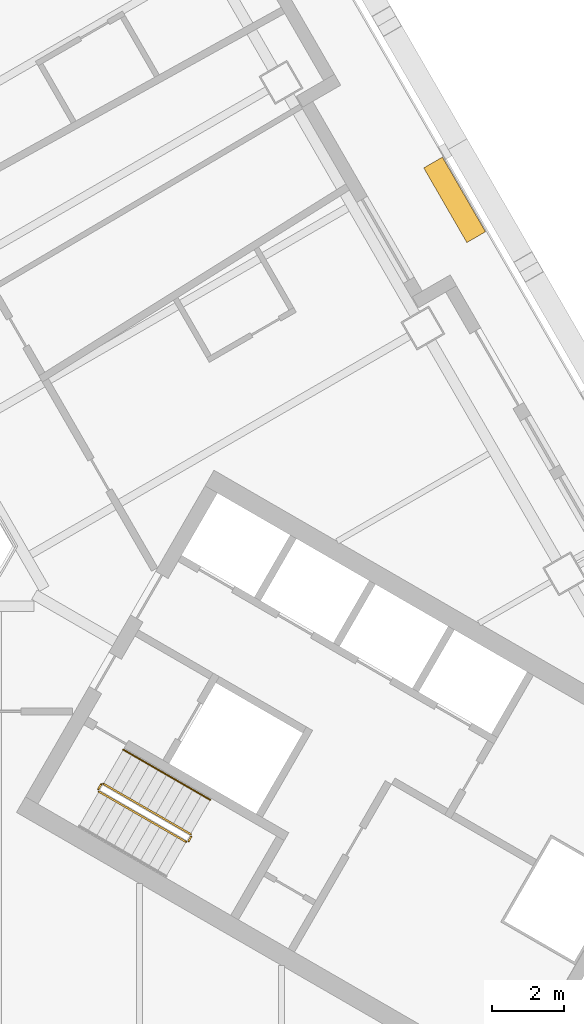
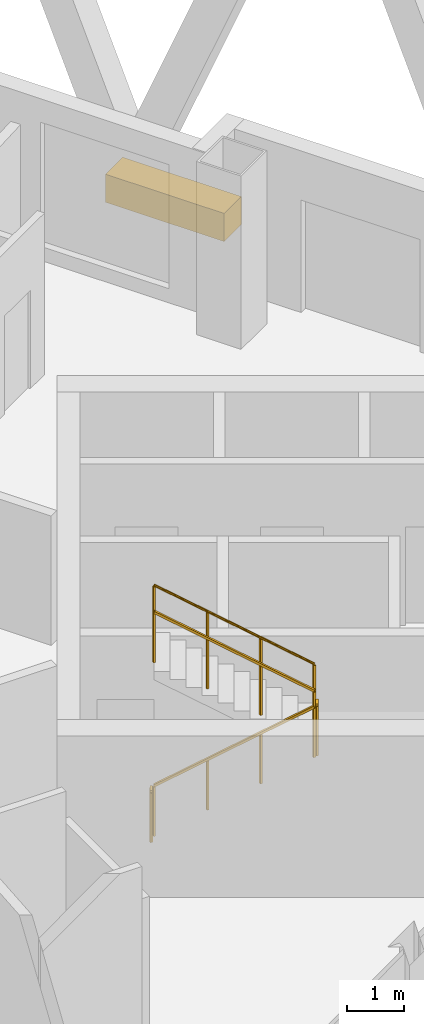
# One storey, part 11 of 13: 5 railings, 1 covering.
"""IFC4 building model written with IfcOpenShell, lengths in metres."""

import ifcopenshell
import ifcopenshell.guid

model = None  # the IFC model being written
_history = None  # IfcOwnerHistory: only IFC2X3 demands one
_inside = {}  # id of a spatial element -> (the spatial element, [elements in it])
_under = {}  # id of a project, library or spatial element -> (it, [spatial elements below it])
_declared = {}  # id of a project -> (the project, [libraries it declares])
_typed = {}  # id of a type object -> (the type object, [elements of that type])
_made_of = {}  # id of a material, layer set ... -> (it, [elements and type objects made of it])


def new_model(schema):
    """Start an empty IFC model of exactly this schema.

    Asked for "IFC4X3", IfcOpenShell would pick the latest addendum, in which some entities
    have other attributes; the version numbers below select the first issue.
    IFC2X3 requires an IfcOwnerHistory on every rooted entity: one is made here for all.
    """
    global model, _history
    if schema == "IFC4X3":
        model = ifcopenshell.file(schema_version=(4, 3, 0, 0))
    else:
        model = ifcopenshell.file(schema=schema)
    _inside.clear()
    _under.clear()
    _declared.clear()
    _typed.clear()
    _made_of.clear()
    _history = None
    if model.schema == "IFC2X3":
        org = make("IfcOrganization", Name="unknown")
        user = make(
            "IfcPersonAndOrganization",
            ThePerson=make("IfcPerson", FamilyName="unknown"),
            TheOrganization=org,
        )
        app = make(
            "IfcApplication",
            ApplicationDeveloper=org,
            Version="unknown",
            ApplicationFullName="unknown",
            ApplicationIdentifier="unknown",
        )
        _history = make(
            "IfcOwnerHistory",
            OwningUser=user,
            OwningApplication=app,
            ChangeAction="ADDED",
            CreationDate=0,
        )
    return model


def make(cls, **values):
    """One entity of the class cls with the attributes given. An attribute that is None is left unset."""
    return model.create_entity(
        cls, **{name: value for name, value in values.items() if value is not None}
    )


def rooted(cls, **values):
    """An entity with a GlobalId (a new one), such as an element, a storey or a relation."""
    return make(cls, GlobalId=ifcopenshell.guid.new(), OwnerHistory=_history, **values)


def si_unit(unit_type, name, prefix=None):
    """IfcSIUnit, for example si_unit("LENGTHUNIT", "METRE", prefix="MILLI")."""
    return make("IfcSIUnit", UnitType=unit_type, Prefix=prefix, Name=name)


def assignment(units):
    """IfcUnitAssignment: the units of a project."""
    return None if units is None else make("IfcUnitAssignment", Units=units)


def point(xyz):
    """IfcCartesianPoint."""
    return None if xyz is None else make("IfcCartesianPoint", Coordinates=xyz)


def direction(xyz):
    """IfcDirection."""
    return None if xyz is None else make("IfcDirection", DirectionRatios=xyz)


def frame(location, z_axis=None, x_axis=None):
    """IfcAxis2Placement3D, a coordinate frame: its origin and axes. An axis left out is left unset."""
    return make(
        "IfcAxis2Placement3D",
        Location=point(location),
        Axis=direction(z_axis),
        RefDirection=direction(x_axis),
    )


def frame_2d(location, x_axis=None):
    """IfcAxis2Placement2D, a coordinate frame in the plane: its origin and x axis."""
    return make(
        "IfcAxis2Placement2D", Location=point(location), RefDirection=direction(x_axis)
    )


def origin():
    """The frame at (0, 0, 0) with its axes left unset."""
    return frame((0.0, 0.0, 0.0))


def origin_2d():
    """The frame at (0, 0) in the plane with its x axis left unset."""
    return frame_2d((0.0, 0.0))


def place(relative_to, where):
    """IfcLocalPlacement: puts the frame where relative to a parent placement (None: the world)."""
    return make(
        "IfcLocalPlacement", PlacementRelTo=relative_to, RelativePlacement=where
    )


def context(
    kind, dimensions, precision=None, world=None, true_north=None, identifier=None
):
    """IfcGeometricRepresentationContext, for example the 3D "Model" context."""
    return make(
        "IfcGeometricRepresentationContext",
        ContextIdentifier=identifier,
        ContextType=kind,
        CoordinateSpaceDimension=dimensions,
        Precision=precision,
        WorldCoordinateSystem=world,
        TrueNorth=true_north,
    )


def subcontext(parent, identifier, kind, view, scale=None):
    """IfcGeometricRepresentationSubContext, for example "Body" below "Model"."""
    return make(
        "IfcGeometricRepresentationSubContext",
        ContextIdentifier=identifier,
        ContextType=kind,
        ParentContext=parent,
        TargetScale=scale,
        TargetView=view,
    )


def project(units=None, contexts=None):
    """IfcProject with its units and contexts."""
    return rooted(
        "IfcProject",
        Name="project",
        RepresentationContexts=contexts,
        UnitsInContext=assignment(units),
    )


def spatial(cls, under=None, at=None, **own):
    """A site, building, storey or space (cls), placed at a placement, below another one or the project."""
    s = rooted(cls, ObjectPlacement=at, **own)
    if under is not None:
        _under.setdefault(under.id(), (under, []))[1].append(s)
    return s


def profile(cls, at=None, kind="AREA", **sizes):
    """A parametric profile (cls). Its sizes go by their IFC names, for example OverallWidth=200.0."""
    return make(cls, ProfileType=kind, Position=at, **sizes)


def rectangle(**sizes):
    """IfcRectangleProfileDef."""
    return profile("IfcRectangleProfileDef", **sizes)


def circle(**sizes):
    """IfcCircleProfileDef."""
    return profile("IfcCircleProfileDef", **sizes)


def extrude(swept, where, along, depth):
    """IfcExtrudedAreaSolid: the profile swept, set in the frame where, extruded along a direction by depth."""
    return make(
        "IfcExtrudedAreaSolid",
        SweptArea=swept,
        Position=where,
        ExtrudedDirection=direction(along),
        Depth=depth,
    )


def shape(context_of_items, identifier, shape_type, items):
    """IfcShapeRepresentation: the items that make up one representation, for example the "Body"."""
    return make(
        "IfcShapeRepresentation",
        ContextOfItems=context_of_items,
        RepresentationIdentifier=identifier,
        RepresentationType=shape_type,
        Items=items,
    )


def material(Name=None, Category=None):
    """IfcMaterial."""
    return make("IfcMaterial", Name=Name, Category=Category)


def made_of(thing, what):
    """Note that an element or type object is made of a material, layer set ...; save() writes the relation."""
    if what is not None:
        _made_of.setdefault(what.id(), (what, []))[1].append(thing)
    return thing


def type_object(cls, material=None, **own):
    """A type object (cls), such as IfcWallType, which elements share."""
    return made_of(rooted(cls, **own), material)


def element(
    cls,
    number,
    at=None,
    inside=None,
    cuts=None,
    type_object=None,
    material=None,
    context=None,
    identifier="Body",
    shape_type=None,
    held_by="IfcProductDefinitionShape",
    body=None,
    shapes=None,
    **own,
):
    """One element of the class cls, such as IfcWall. Its Tag is "e" and its number.

    at: its placement. inside: the storey or other place that contains it. cuts: it is an
    opening in that element (IfcRelVoidsElement). A single representation is given by context,
    identifier, shape_type and body (its items); several are given by shapes. held_by: the class
    of the entity that holds the representations. save() writes the other relations.
    """
    e = rooted(cls, Tag="e%d" % number, ObjectPlacement=at, **own)
    if body is not None:
        shapes = [shape(context, identifier, shape_type, body)]
    if shapes is not None:
        e.Representation = make(held_by, Representations=shapes)
    if inside is not None:
        _inside.setdefault(inside.id(), (inside, []))[1].append(e)
    if cuts is not None:
        rooted(
            "IfcRelVoidsElement", RelatingBuildingElement=cuts, RelatedOpeningElement=e
        )
    if type_object is not None:
        _typed.setdefault(type_object.id(), (type_object, []))[1].append(e)
    return made_of(e, material)


def aggregate(whole, parts):
    """IfcRelAggregates: a whole, such as a stair, and the parts it consists of."""
    return rooted("IfcRelAggregates", RelatingObject=whole, RelatedObjects=parts)


def save(model, path):
    """Write the relations noted so far, then the file.

    IfcRelAggregates (storeys below a building ...), IfcRelContainedInSpatialStructure (elements
    in a storey), IfcRelDefinesByType, IfcRelAssociatesMaterial and IfcRelDeclares: one each for
    every whole, place, type object, material and project.
    """
    for whole, parts in _under.values():
        aggregate(whole, parts)
    for where, things in _inside.values():
        rooted(
            "IfcRelContainedInSpatialStructure",
            RelatedElements=things,
            RelatingStructure=where,
        )
    for kind, things in _typed.values():
        rooted("IfcRelDefinesByType", RelatedObjects=things, RelatingType=kind)
    for what, things in _made_of.values():
        rooted("IfcRelAssociatesMaterial", RelatedObjects=things, RelatingMaterial=what)
    for by, libraries in _declared.values():
        rooted("IfcRelDeclares", RelatingContext=by, RelatedDefinitions=libraries)
    model.write(path)


model = new_model("IFC4")

# Units and contexts
model_context = context("Model", 3, precision=1e-05, world=origin(), true_north=direction((0.0, 1.0)))
body_context = subcontext(model_context, "Body", "Model", "MODEL_VIEW")
ifc_project = project(units=[si_unit("LENGTHUNIT", "METRE"), si_unit("AREAUNIT", "SQUARE_METRE"), si_unit("VOLUMEUNIT", "CUBIC_METRE"), si_unit("PLANEANGLEUNIT", "RADIAN"), si_unit("MASSUNIT", "GRAM", prefix="KILO")], contexts=[model_context])

# Site, building, storey
site_placement = place(None, origin())
site = spatial("IfcSite", under=ifc_project, at=site_placement, CompositionType="ELEMENT")
building_placement = place(site_placement, origin())
building = spatial("IfcBuilding", under=site, at=building_placement, Name="Apuvela Tower Hotel", CompositionType="ELEMENT")
storey_placement = place(building_placement, frame((0.0, 0.0, 127.89990234375)))
storey = spatial("IfcBuildingStorey", under=building, at=storey_placement, Name="L30", CompositionType="ELEMENT", Elevation=127.89990234375)

# Railings
ifc_material_1 = material(Name="Steel S275 balustrade", Category="steel")
railing_type_1 = type_object("IfcRailingType", Name="COR-GUARD-1100", PredefinedType="GUARDRAIL", material=ifc_material_1)
railing_1_placement = place(storey_placement, frame((10.718994140625, -10.63427734375, 0.168212890625)))
element("IfcRailing", 1, at=railing_1_placement, inside=storey, type_object=railing_type_1, Name="L30 ST3 stair guard 1", PredefinedType="GUARDRAIL", context=body_context, shape_type="SweptSolid", body=[
    extrude(rectangle(XDim=0.048095703125, YDim=0.048095703125, at=origin_2d()), frame((0.0, 0.0, 1.076171875), z_axis=(0.742390482028, -0.42860119049, 0.514934356695), x_axis=(0.49998411664, 0.866034573852, 0.0)), (0.0, 0.0, 1.0), 3.26611328125),
    extrude(rectangle(XDim=0.0419921875, YDim=0.0419921875, at=origin_2d()), origin(), (0.0, 0.0, 1.0), 1.052001953125),
    extrude(rectangle(XDim=0.0419921875, YDim=0.0419921875, at=origin_2d()), frame((0.808349609375, -0.466552734375, 0.560546875)), (0.0, 0.0, 1.0), 1.052001953125),
    extrude(rectangle(XDim=0.0419921875, YDim=0.0419921875, at=origin_2d()), frame((1.616455078125, -0.933349609375, 1.121337890625)), (0.0, 0.0, 1.0), 1.052001953125),
    extrude(rectangle(XDim=0.0419921875, YDim=0.0419921875, at=origin_2d()), frame((2.4248046875, -1.39990234375, 1.681884765625)), (0.0, 0.0, 1.0), 1.052001953125),
])
railing_2_placement = place(storey_placement, frame((13.212158203125, -12.015869140625, 1.85009765625)))
element("IfcRailing", 2, at=railing_2_placement, inside=storey, type_object=railing_type_1, Name="L30 ST3 stair guard 2", PredefinedType="GUARDRAIL", context=body_context, shape_type="SweptSolid", body=[
    extrude(rectangle(XDim=0.048095703125, YDim=0.048095703125, at=origin_2d()), frame((0.0, 0.0, 1.076171875), z_axis=(0.499816412211, 0.866131372301, 0.0), x_axis=(-0.866131372301, 0.499816412211, 0.0)), (0.0, 0.0, 1.0), 0.14990234375),
    extrude(rectangle(XDim=0.0419921875, YDim=0.0419921875, at=origin_2d()), origin(), (0.0, 0.0, 1.0), 1.052001953125),
    extrude(rectangle(XDim=0.0419921875, YDim=0.0419921875, at=origin_2d()), frame((0.074951171875, 0.1298828125, 0.0)), (0.0, 0.0, 1.0), 1.052001953125),
])
railing_3_placement = place(storey_placement, frame((13.268798828125, -11.817626953125, 2.018310546875)))
element("IfcRailing", 3, at=railing_3_placement, inside=storey, type_object=railing_type_1, Name="L30 ST3 stair guard 3", PredefinedType="GUARDRAIL", context=body_context, shape_type="SweptSolid", body=[
    extrude(rectangle(XDim=0.048095703125, YDim=0.048095703125, at=origin_2d()), frame((0.0, 0.0, 1.076171875), z_axis=(-0.742390482028, 0.42860119049, 0.514934356695), x_axis=(-0.49998411664, -0.866034573852, 0.0)), (0.0, 0.0, 1.0), 3.26611328125),
    extrude(rectangle(XDim=0.0419921875, YDim=0.0419921875, at=origin_2d()), origin(), (0.0, 0.0, 1.0), 1.052001953125),
    extrude(rectangle(XDim=0.0419921875, YDim=0.0419921875, at=origin_2d()), frame((-0.808349609375, 0.466552734375, 0.560546875)), (0.0, 0.0, 1.0), 1.052001953125),
    extrude(rectangle(XDim=0.0419921875, YDim=0.0419921875, at=origin_2d()), frame((-1.616455078125, 0.933349609375, 1.121337890625)), (0.0, 0.0, 1.0), 1.052001953125),
    extrude(rectangle(XDim=0.0419921875, YDim=0.0419921875, at=origin_2d()), frame((-2.4248046875, 1.39990234375, 1.681884765625)), (0.0, 0.0, 1.0), 1.052001953125),
])
railing_4_placement = place(storey_placement, frame((10.70068359375, -10.56591796875, 0.0)))
element("IfcRailing", 4, at=railing_4_placement, inside=storey, type_object=railing_type_1, Name="L30 ST3 stair guard 4", PredefinedType="GUARDRAIL", context=body_context, shape_type="SweptSolid", body=[
    extrude(rectangle(XDim=0.048095703125, YDim=0.048095703125, at=origin_2d()), frame((0.0, 0.0, 1.076171875), z_axis=(0.499816412211, 0.866131372301, 0.0), x_axis=(-0.866131372301, 0.499816412211, 0.0)), (0.0, 0.0, 1.0), 0.14990234375),
    extrude(rectangle(XDim=0.0419921875, YDim=0.0419921875, at=origin_2d()), origin(), (0.0, 0.0, 1.0), 1.052001953125),
    extrude(rectangle(XDim=0.0419921875, YDim=0.0419921875, at=origin_2d()), frame((0.074951171875, 0.1298828125, 0.0)), (0.0, 0.0, 1.0), 1.052001953125),
])
ifc_material_2 = material(Name="Stainless steel 316 handrail", Category="steel")
railing_type_2 = type_object("IfcRailingType", Name="COR-HANDRAIL-900", PredefinedType="HANDRAIL", material=ifc_material_2)
railing_5_placement = place(storey_placement, frame((13.81884765625, -10.864990234375, 2.018310546875)))
element("IfcRailing", 5, at=railing_5_placement, inside=storey, type_object=railing_type_2, Name="L30 ST3 stair handrail 2", PredefinedType="HANDRAIL", context=body_context, shape_type="SweptSolid", body=[
    extrude(circle(Radius=0.02392578125, at=origin_2d()), frame((0.0, 0.0, 0.8759765625), z_axis=(-0.742390482028, 0.42860119049, 0.514934356695), x_axis=(-0.49998411664, -0.866034573852, 0.0)), (0.0, 0.0, 1.0), 3.26611328125),
    extrude(rectangle(XDim=0.0419921875, YDim=0.0419921875, at=origin_2d()), origin(), (0.0, 0.0, 1.0), 0.851806640625),
    extrude(rectangle(XDim=0.0419921875, YDim=0.0419921875, at=origin_2d()), frame((-0.808349609375, 0.466552734375, 0.560546875)), (0.0, 0.0, 1.0), 0.851806640625),
    extrude(rectangle(XDim=0.0419921875, YDim=0.0419921875, at=origin_2d()), frame((-1.616455078125, 0.933349609375, 1.121337890625)), (0.0, 0.0, 1.0), 0.851806640625),
    extrude(rectangle(XDim=0.0419921875, YDim=0.0419921875, at=origin_2d()), frame((-2.4248046875, 1.39990234375, 1.681884765625)), (0.0, 0.0, 1.0), 0.851806640625),
])

# Covering
ifc_material_3 = material(Name="Planting substrate and soil, planted")
covering_type = type_object("IfcCoveringType", Name="ENV-PLANTER-2400x600", PredefinedType="USERDEFINED", material=ifc_material_3)
covering_placement = place(storey_placement, frame((20.62109375, 5.84326171875, 0.0), z_axis=(0.0, 0.0, 1.0), x_axis=(-0.5, 0.866025403784, 0.0)))
element("IfcCovering", 6, at=covering_placement, inside=storey, type_object=covering_type, Name="Planter NE2", ObjectType="PLANTER", PredefinedType="USERDEFINED", context=body_context, shape_type="SweptSolid", body=[
    extrude(rectangle(XDim=2.39990234375, YDim=0.60009765625, at=origin_2d()), origin(), (0.0, 0.0, 1.0), 0.60009765625),
])

save(model, "model.ifc")
